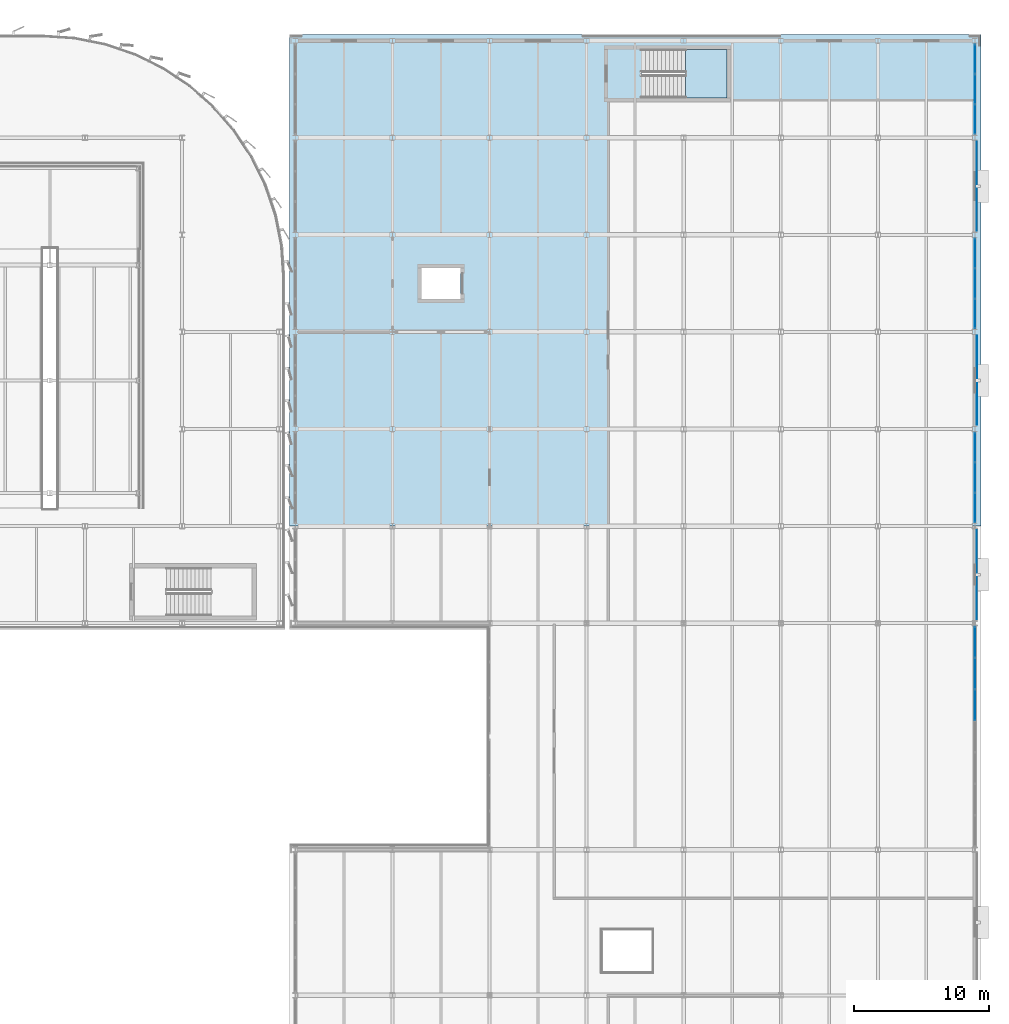
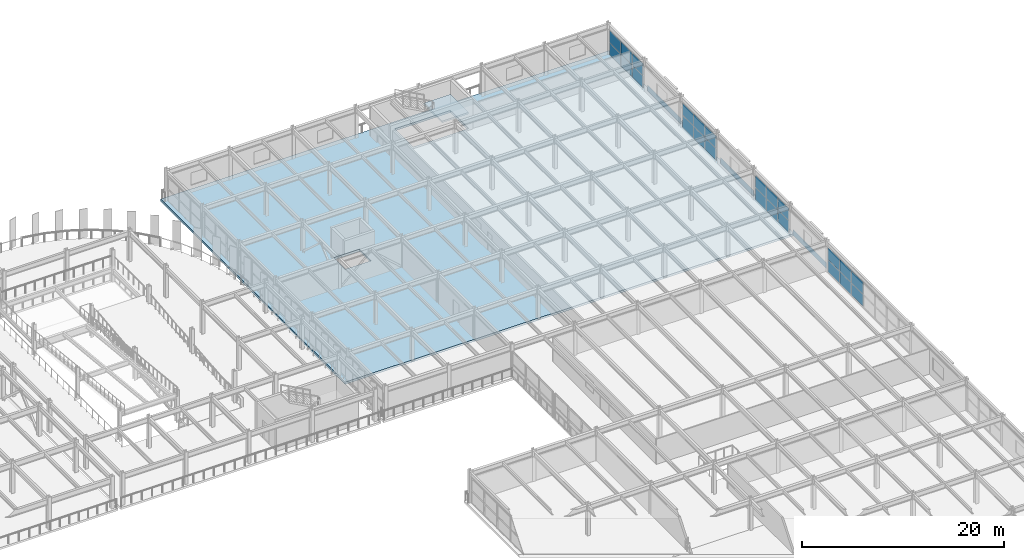
# One storey, part 59 of 93: 27 plates, 2 slabs, 5 elements without a shape of their own.
"""IFC4 building model written with IfcOpenShell, lengths in metres."""

from ifc_helpers import new_model, si_unit, direction, frame, origin, origin_2d, place, context, subcontext, project, spatial, polyline, rectangle, outline, extrude, material, layer, layer_set, type_object, element, aggregate, save


model = new_model("IFC4")

# Units and contexts
model_context = context("Model", 3, precision=1e-05, world=origin(), true_north=direction((0.0, 1.0)))
body_context = subcontext(model_context, "Body", "Model", "MODEL_VIEW")
ifc_project = project(units=[si_unit("LENGTHUNIT", "METRE"), si_unit("AREAUNIT", "SQUARE_METRE"), si_unit("VOLUMEUNIT", "CUBIC_METRE"), si_unit("PLANEANGLEUNIT", "RADIAN"), si_unit("MASSUNIT", "GRAM", prefix="KILO")], contexts=[model_context])

# Site, building, storey
site_placement = place(None, origin())
site = spatial("IfcSite", under=ifc_project, at=site_placement, CompositionType="ELEMENT")
building_placement = place(site_placement, origin())
building = spatial("IfcBuilding", under=site, at=building_placement, Name="Vaelcorin Mobility Hub", CompositionType="ELEMENT")
storey_placement = place(building_placement, frame((0.0, 0.0, 5.39990234375)))
storey = spatial("IfcBuildingStorey", under=building, at=storey_placement, Name="L01", CompositionType="ELEMENT", Elevation=5.39990234375)

# Curtain wall, plates
ifc_material_1 = material(Name="Anodised aluminium 6063-T6", Category="aluminium")
curtain_wall_type = type_object("IfcCurtainWallType", Name="CW-MOB-A", PredefinedType="NOTDEFINED", material=ifc_material_1)
curtain_wall_1_placement = place(storey_placement, origin())
curtain_wall_1 = element("IfcCurtainWall", 1, at=curtain_wall_1_placement, inside=storey, type_object=curtain_wall_type, Name="L01 Curtain Wall CW-V5-L01-E-08", PredefinedType="NOTDEFINED")
ifc_material_2 = material(Name="Low-E solar-control insulated glazing", Category="glass")
ifc_layer_1 = layer(ifc_material_2, 0.028076171875)
ifc_layer_set_1 = layer_set([ifc_layer_1], Name="Low-E solar-control insulated glazing")
plate_type_1 = type_object("IfcPlateType", Name="CW-PAN-GLZ28", PredefinedType="CURTAIN_PANEL", material=ifc_layer_set_1)
plate_1_placement = place(storey_placement, frame((204.0, 75.396484375, 0.06005859375), z_axis=(0.0, 0.0, 1.0), x_axis=(0.0, -1.0, 0.0)))
plate_1 = element("IfcPlate", 2, at=plate_1_placement, type_object=plate_type_1, Name="CW7 panel 1.1", PredefinedType="CURTAIN_PANEL", context=body_context, shape_type="SweptSolid", body=[
    extrude(rectangle(XDim=2.2470703125, YDim=0.028076171875, at=origin_2d()), origin(), (0.0, 0.0, 1.0), 1.431884765625),
])
plate_2_placement = place(storey_placement, frame((204.0, 75.396484375, 1.55224609375), z_axis=(0.0, 0.0, 1.0), x_axis=(0.0, -1.0, 0.0)))
plate_2 = element("IfcPlate", 3, at=plate_2_placement, type_object=plate_type_1, Name="CW7 panel 1.2", PredefinedType="CURTAIN_PANEL", context=body_context, shape_type="SweptSolid", body=[
    extrude(rectangle(XDim=2.2470703125, YDim=0.028076171875, at=origin_2d()), origin(), (0.0, 0.0, 1.0), 1.430908203125),
])
plate_3_placement = place(storey_placement, frame((204.0, 73.07421875, 0.06005859375), z_axis=(0.0, 0.0, 1.0), x_axis=(0.0, -1.0, 0.0)))
plate_3 = element("IfcPlate", 4, at=plate_3_placement, type_object=plate_type_1, Name="CW7 panel 2.1", PredefinedType="CURTAIN_PANEL", context=body_context, shape_type="SweptSolid", body=[
    extrude(rectangle(XDim=2.277099609375, YDim=0.028076171875, at=origin_2d()), origin(), (0.0, 0.0, 1.0), 1.431884765625),
])
plate_4_placement = place(storey_placement, frame((204.0, 73.07421875, 1.55224609375), z_axis=(0.0, 0.0, 1.0), x_axis=(0.0, -1.0, 0.0)))
plate_4 = element("IfcPlate", 5, at=plate_4_placement, type_object=plate_type_1, Name="CW7 panel 2.2", PredefinedType="CURTAIN_PANEL", context=body_context, shape_type="SweptSolid", body=[
    extrude(rectangle(XDim=2.277099609375, YDim=0.028076171875, at=origin_2d()), origin(), (0.0, 0.0, 1.0), 1.430908203125),
])
plate_5_placement = place(storey_placement, frame((204.0, 70.737060546875, 0.06005859375), z_axis=(0.0, 0.0, 1.0), x_axis=(0.0, -1.0, 0.0)))
plate_5 = element("IfcPlate", 6, at=plate_5_placement, type_object=plate_type_1, Name="CW7 panel 3.1", PredefinedType="CURTAIN_PANEL", context=body_context, shape_type="SweptSolid", body=[
    extrude(rectangle(XDim=2.277099609375, YDim=0.028076171875, at=origin_2d()), origin(), (0.0, 0.0, 1.0), 1.431884765625),
])
plate_6_placement = place(storey_placement, frame((204.0, 70.737060546875, 1.55224609375), z_axis=(0.0, 0.0, 1.0), x_axis=(0.0, -1.0, 0.0)))
plate_6 = element("IfcPlate", 7, at=plate_6_placement, type_object=plate_type_1, Name="CW7 panel 3.2", PredefinedType="CURTAIN_PANEL", context=body_context, shape_type="SweptSolid", body=[
    extrude(rectangle(XDim=2.277099609375, YDim=0.028076171875, at=origin_2d()), origin(), (0.0, 0.0, 1.0), 1.430908203125),
])
aggregate(curtain_wall_1, [plate_1, plate_2, plate_3, plate_4, plate_5, plate_6])

curtain_wall_2_placement = place(storey_placement, origin())
curtain_wall_2 = element("IfcCurtainWall", 8, at=curtain_wall_2_placement, inside=storey, type_object=curtain_wall_type, Name="L01 Curtain Wall CW-V5-L01-E-10", PredefinedType="NOTDEFINED")
plate_7_placement = place(storey_placement, frame((204.0, 89.83837890625, 0.06005859375), z_axis=(0.0, 0.0, 1.0), x_axis=(0.0, -1.0, 0.0)))
plate_7 = element("IfcPlate", 9, at=plate_7_placement, type_object=plate_type_1, Name="CW7 panel 1.1", PredefinedType="CURTAIN_PANEL", context=body_context, shape_type="SweptSolid", body=[
    extrude(rectangle(XDim=2.163330078125, YDim=0.028076171875, at=origin_2d()), origin(), (0.0, 0.0, 1.0), 1.431884765625),
])
plate_8_placement = place(storey_placement, frame((204.0, 89.83837890625, 1.55224609375), z_axis=(0.0, 0.0, 1.0), x_axis=(0.0, -1.0, 0.0)))
plate_8 = element("IfcPlate", 10, at=plate_8_placement, type_object=plate_type_1, Name="CW7 panel 1.2", PredefinedType="CURTAIN_PANEL", context=body_context, shape_type="SweptSolid", body=[
    extrude(rectangle(XDim=2.163330078125, YDim=0.028076171875, at=origin_2d()), origin(), (0.0, 0.0, 1.0), 1.430908203125),
])
plate_9_placement = place(storey_placement, frame((204.0, 87.60009765625, 0.06005859375), z_axis=(0.0, 0.0, 1.0), x_axis=(0.0, -1.0, 0.0)))
plate_9 = element("IfcPlate", 11, at=plate_9_placement, type_object=plate_type_1, Name="CW7 panel 2.1", PredefinedType="CURTAIN_PANEL", context=body_context, shape_type="SweptSolid", body=[
    extrude(rectangle(XDim=2.193359375, YDim=0.028076171875, at=origin_2d()), origin(), (0.0, 0.0, 1.0), 1.431884765625),
])
plate_10_placement = place(storey_placement, frame((204.0, 87.60009765625, 1.55224609375), z_axis=(0.0, 0.0, 1.0), x_axis=(0.0, -1.0, 0.0)))
plate_10 = element("IfcPlate", 12, at=plate_10_placement, type_object=plate_type_1, Name="CW7 panel 2.2", PredefinedType="CURTAIN_PANEL", context=body_context, shape_type="SweptSolid", body=[
    extrude(rectangle(XDim=2.193359375, YDim=0.028076171875, at=origin_2d()), origin(), (0.0, 0.0, 1.0), 1.430908203125),
])
plate_11_placement = place(storey_placement, frame((204.0, 85.361572265625, 0.06005859375), z_axis=(0.0, 0.0, 1.0), x_axis=(0.0, -1.0, 0.0)))
plate_11 = element("IfcPlate", 13, at=plate_11_placement, type_object=plate_type_1, Name="CW7 panel 3.1", PredefinedType="CURTAIN_PANEL", context=body_context, shape_type="SweptSolid", body=[
    extrude(rectangle(XDim=2.163330078125, YDim=0.028076171875, at=origin_2d()), origin(), (0.0, 0.0, 1.0), 1.431884765625),
])
plate_12_placement = place(storey_placement, frame((204.0, 85.361572265625, 1.55224609375), z_axis=(0.0, 0.0, 1.0), x_axis=(0.0, -1.0, 0.0)))
plate_12 = element("IfcPlate", 14, at=plate_12_placement, type_object=plate_type_1, Name="CW7 panel 3.2", PredefinedType="CURTAIN_PANEL", context=body_context, shape_type="SweptSolid", body=[
    extrude(rectangle(XDim=2.163330078125, YDim=0.028076171875, at=origin_2d()), origin(), (0.0, 0.0, 1.0), 1.430908203125),
])
aggregate(curtain_wall_2, [plate_7, plate_8, plate_9, plate_10, plate_11, plate_12])

curtain_wall_3_placement = place(storey_placement, origin())
curtain_wall_3 = element("IfcCurtainWall", 15, at=curtain_wall_3_placement, inside=storey, type_object=curtain_wall_type, Name="L01 Curtain Wall CW-V5-L01-E-12", PredefinedType="NOTDEFINED")
plate_13_placement = place(storey_placement, frame((204.0, 104.23828125, 0.06005859375), z_axis=(0.0, 0.0, 1.0), x_axis=(0.0, -1.0, 0.0)))
plate_13 = element("IfcPlate", 16, at=plate_13_placement, type_object=plate_type_1, Name="CW7 panel 1.1", PredefinedType="CURTAIN_PANEL", context=body_context, shape_type="SweptSolid", body=[
    extrude(rectangle(XDim=2.163330078125, YDim=0.028076171875, at=origin_2d()), origin(), (0.0, 0.0, 1.0), 1.431884765625),
])
plate_14_placement = place(storey_placement, frame((204.0, 104.23828125, 1.55224609375), z_axis=(0.0, 0.0, 1.0), x_axis=(0.0, -1.0, 0.0)))
plate_14 = element("IfcPlate", 17, at=plate_14_placement, type_object=plate_type_1, Name="CW7 panel 1.2", PredefinedType="CURTAIN_PANEL", context=body_context, shape_type="SweptSolid", body=[
    extrude(rectangle(XDim=2.163330078125, YDim=0.028076171875, at=origin_2d()), origin(), (0.0, 0.0, 1.0), 1.430908203125),
])
plate_15_placement = place(storey_placement, frame((204.0, 102.0, 0.06005859375), z_axis=(0.0, 0.0, 1.0), x_axis=(0.0, -1.0, 0.0)))
plate_15 = element("IfcPlate", 18, at=plate_15_placement, type_object=plate_type_1, Name="CW7 panel 2.1", PredefinedType="CURTAIN_PANEL", context=body_context, shape_type="SweptSolid", body=[
    extrude(rectangle(XDim=2.193359375, YDim=0.028076171875, at=origin_2d()), origin(), (0.0, 0.0, 1.0), 1.431884765625),
])
plate_16_placement = place(storey_placement, frame((204.0, 102.0, 1.55224609375), z_axis=(0.0, 0.0, 1.0), x_axis=(0.0, -1.0, 0.0)))
plate_16 = element("IfcPlate", 19, at=plate_16_placement, type_object=plate_type_1, Name="CW7 panel 2.2", PredefinedType="CURTAIN_PANEL", context=body_context, shape_type="SweptSolid", body=[
    extrude(rectangle(XDim=2.193359375, YDim=0.028076171875, at=origin_2d()), origin(), (0.0, 0.0, 1.0), 1.430908203125),
])
plate_17_placement = place(storey_placement, frame((204.0, 99.76171875, 0.06005859375), z_axis=(0.0, 0.0, 1.0), x_axis=(0.0, -1.0, 0.0)))
plate_17 = element("IfcPlate", 20, at=plate_17_placement, type_object=plate_type_1, Name="CW7 panel 3.1", PredefinedType="CURTAIN_PANEL", context=body_context, shape_type="SweptSolid", body=[
    extrude(rectangle(XDim=2.163330078125, YDim=0.028076171875, at=origin_2d()), origin(), (0.0, 0.0, 1.0), 1.431884765625),
])
plate_18_placement = place(storey_placement, frame((204.0, 99.76171875, 1.55224609375), z_axis=(0.0, 0.0, 1.0), x_axis=(0.0, -1.0, 0.0)))
plate_18 = element("IfcPlate", 21, at=plate_18_placement, type_object=plate_type_1, Name="CW7 panel 3.2", PredefinedType="CURTAIN_PANEL", context=body_context, shape_type="SweptSolid", body=[
    extrude(rectangle(XDim=2.163330078125, YDim=0.028076171875, at=origin_2d()), origin(), (0.0, 0.0, 1.0), 1.430908203125),
])
aggregate(curtain_wall_3, [plate_13, plate_14, plate_15, plate_16, plate_17, plate_18])

curtain_wall_4_placement = place(storey_placement, origin())
curtain_wall_4 = element("IfcCurtainWall", 22, at=curtain_wall_4_placement, inside=storey, type_object=curtain_wall_type, Name="L01 Curtain Wall CW-V5-L01-E-14", PredefinedType="NOTDEFINED")
plate_19_placement = place(storey_placement, frame((204.0, 118.638427734375, 0.06005859375), z_axis=(0.0, 0.0, 1.0), x_axis=(0.0, -1.0, 0.0)))
plate_19 = element("IfcPlate", 23, at=plate_19_placement, type_object=plate_type_1, Name="CW7 panel 1.1", PredefinedType="CURTAIN_PANEL", context=body_context, shape_type="SweptSolid", body=[
    extrude(rectangle(XDim=2.163330078125, YDim=0.028076171875, at=origin_2d()), origin(), (0.0, 0.0, 1.0), 1.431884765625),
])
plate_20_placement = place(storey_placement, frame((204.0, 118.638427734375, 1.55224609375), z_axis=(0.0, 0.0, 1.0), x_axis=(0.0, -1.0, 0.0)))
plate_20 = element("IfcPlate", 24, at=plate_20_placement, type_object=plate_type_1, Name="CW7 panel 1.2", PredefinedType="CURTAIN_PANEL", context=body_context, shape_type="SweptSolid", body=[
    extrude(rectangle(XDim=2.163330078125, YDim=0.028076171875, at=origin_2d()), origin(), (0.0, 0.0, 1.0), 1.430908203125),
])
plate_21_placement = place(storey_placement, frame((204.0, 116.39990234375, 0.06005859375), z_axis=(0.0, 0.0, 1.0), x_axis=(0.0, -1.0, 0.0)))
plate_21 = element("IfcPlate", 25, at=plate_21_placement, type_object=plate_type_1, Name="CW7 panel 2.1", PredefinedType="CURTAIN_PANEL", context=body_context, shape_type="SweptSolid", body=[
    extrude(rectangle(XDim=2.193359375, YDim=0.028076171875, at=origin_2d()), origin(), (0.0, 0.0, 1.0), 1.431884765625),
])
plate_22_placement = place(storey_placement, frame((204.0, 116.39990234375, 1.55224609375), z_axis=(0.0, 0.0, 1.0), x_axis=(0.0, -1.0, 0.0)))
plate_22 = element("IfcPlate", 26, at=plate_22_placement, type_object=plate_type_1, Name="CW7 panel 2.2", PredefinedType="CURTAIN_PANEL", context=body_context, shape_type="SweptSolid", body=[
    extrude(rectangle(XDim=2.193359375, YDim=0.028076171875, at=origin_2d()), origin(), (0.0, 0.0, 1.0), 1.430908203125),
])
plate_23_placement = place(storey_placement, frame((204.0, 114.16162109375, 0.06005859375), z_axis=(0.0, 0.0, 1.0), x_axis=(0.0, -1.0, 0.0)))
plate_23 = element("IfcPlate", 27, at=plate_23_placement, type_object=plate_type_1, Name="CW7 panel 3.1", PredefinedType="CURTAIN_PANEL", context=body_context, shape_type="SweptSolid", body=[
    extrude(rectangle(XDim=2.163330078125, YDim=0.028076171875, at=origin_2d()), origin(), (0.0, 0.0, 1.0), 1.431884765625),
])
plate_24_placement = place(storey_placement, frame((204.0, 114.16162109375, 1.55224609375), z_axis=(0.0, 0.0, 1.0), x_axis=(0.0, -1.0, 0.0)))
plate_24 = element("IfcPlate", 28, at=plate_24_placement, type_object=plate_type_1, Name="CW7 panel 3.2", PredefinedType="CURTAIN_PANEL", context=body_context, shape_type="SweptSolid", body=[
    extrude(rectangle(XDim=2.163330078125, YDim=0.028076171875, at=origin_2d()), origin(), (0.0, 0.0, 1.0), 1.430908203125),
])
aggregate(curtain_wall_4, [plate_19, plate_20, plate_21, plate_22, plate_23, plate_24])

# Plates
ifc_material_3 = material(Name="Extruded terracotta-bronze rainscreen panel", Category="masonry")
ifc_layer_2 = layer(ifc_material_3, 0.01806640625)
ifc_layer_set_2 = layer_set([ifc_layer_2], Name="Extruded terracotta-bronze rainscreen panel")
plate_type_2 = type_object("IfcPlateType", Name="PL-CLAD-18", PredefinedType="SHEET", material=ifc_layer_set_2)
for number, where, z_axis, x_axis, name in (
    (29, (204.138916015625, 80.39990234375, 0.05029296875), (0.0, 0.0, 1.0), (1.0, 0.0, 0.0), "Terracotta-Bronze Rainscreen Spandrel L01-09"),
    (30, (204.138916015625, 109.199951171875, 0.05029296875), (0.0, 0.0, 1.0), (1.0, 0.0, 0.0), "Terracotta-Bronze Rainscreen Spandrel L01-13"),
):
    element("IfcPlate", number, at=place(storey_placement, frame(where, z_axis=z_axis, x_axis=x_axis)), inside=storey, type_object=plate_type_2, Name=name, PredefinedType="SHEET", context=body_context, shape_type="SweptSolid", body=[
        extrude(rectangle(XDim=0.01806640625, YDim=6.60009765625, at=origin_2d()), origin(), (0.0, 0.0, 1.0), 0.699951171875),
    ])
ifc_layer_3 = layer(ifc_material_3, 0.02197265625)
ifc_layer_set_3 = layer_set([ifc_layer_3], Name="Extruded terracotta-bronze rainscreen panel")
plate_type_3 = type_object("IfcPlateType", Name="PL-CLAD-22", PredefinedType="SHEET", material=ifc_layer_set_3)
plate_25_placement = place(storey_placement, frame((204.14111328125, 94.800048828125, 0.05029296875), z_axis=(0.0, 0.0, 1.0), x_axis=(1.0, 0.0, 0.0)))
element("IfcPlate", 31, at=plate_25_placement, inside=storey, type_object=plate_type_3, Name="Terracotta-Bronze Rainscreen Spandrel L01-11", PredefinedType="SHEET", context=body_context, shape_type="SweptSolid", body=[
    extrude(rectangle(XDim=0.02197265625, YDim=6.60009765625, at=origin_2d()), origin(), (0.0, 0.0, 1.0), 0.699951171875),
])

# Stair, slab
ifc_material_4 = material(Name="Reinforced concrete f'c 45 MPa", Category="concrete")
stair_type = type_object("IfcStairType", Name="STAIR-ST6", PredefinedType="HALF_TURN_STAIR", material=ifc_material_4)
stair_placement = place(storey_placement, origin())
stair = element("IfcStair", 32, at=stair_placement, inside=storey, type_object=stair_type, Name="L01 Protected Exit Stair ST6", PredefinedType="HALF_TURN_STAIR")
ifc_layer_4 = layer(ifc_material_4, 0.199951171875)
ifc_layer_set_4 = layer_set([ifc_layer_4], Name="Reinforced concrete f'c 45 MPa")
slab_type_1 = type_object("IfcSlabType", Name="SLAB-LND-200", PredefinedType="LANDING", material=ifc_layer_set_4)
slab_1_placement = place(storey_placement, frame((0.0, 0.0, 1.75)))
slab_1 = element("IfcSlab", 33, at=slab_1_placement, type_object=slab_type_1, Name="ST6 landing 1", PredefinedType="LANDING", context=body_context, shape_type="SweptSolid", body=[
    extrude(outline(polyline([(182.550048828125, 115.75), (185.60009765625, 115.75), (185.60009765625, 119.35009765625), (182.550048828125, 119.35009765625), (182.550048828125, 115.75)])), origin(), (0.0, 0.0, 1.0), 0.2001953125),
])
aggregate(stair, [slab_1])

# Slab
ifc_material_5 = material(Name="Concrete f'c 35 MPa", Category="concrete")
ifc_layer_5 = layer(ifc_material_5, 0.260009765625)
ifc_layer_set_5 = layer_set([ifc_layer_5], Name="Concrete f'c 35 MPa")
slab_type_2 = type_object("IfcSlabType", Name="SLAB-WK2", PredefinedType="FLOOR", material=ifc_layer_set_5)
slab_2_placement = place(storey_placement, frame((0.0, 0.0, -0.260009765625)))
element("IfcSlab", 34, at=slab_2_placement, inside=storey, type_object=slab_type_2, Name="L01 Mobility Workshop Floor SL-V5-L01-N", PredefinedType="FLOOR", context=body_context, shape_type="SweptSolid", body=[
    extrude(outline(polyline([(153.14990234375, 84.0), (153.14990234375, 120.449951171875), (204.449951171875, 120.449951171875), (204.449951171875, 84.0), (153.14990234375, 84.0)]), holes=[polyline([(165.85009765625, 103.14990234375), (162.949951171875, 103.14990234375), (162.949951171875, 100.85009765625), (165.85009765625, 100.85009765625), (165.85009765625, 103.14990234375)]), polyline([(185.60009765625, 119.35009765625), (179.2548828125, 119.35009765625), (179.2548828125, 115.75), (185.60009765625, 115.75), (185.60009765625, 119.35009765625)])]), origin(), (0.0, 0.0, 1.0), 0.260009765625),
])

save(model, "model.ifc")
